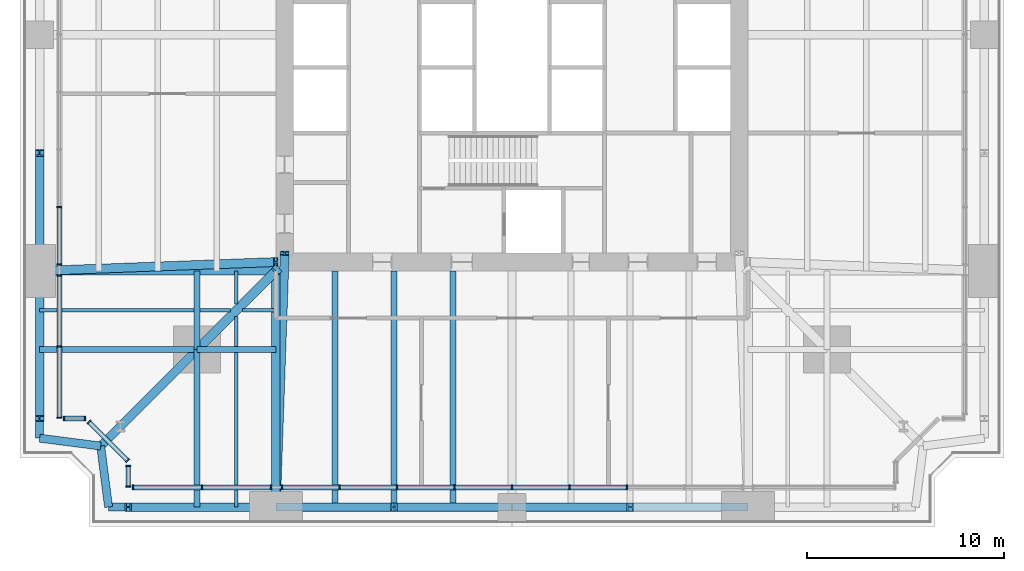
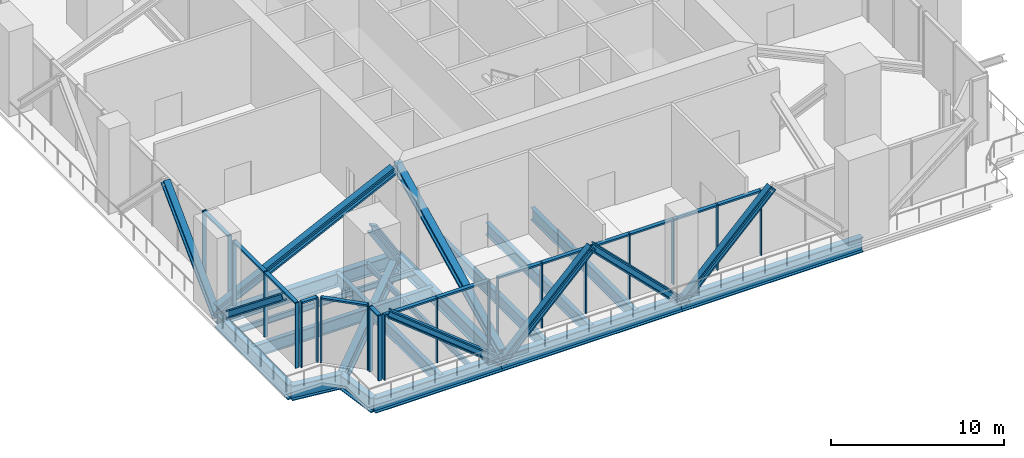
# One storey, part 2 of 13: 44 members, 23 beams, 7 elements without a shape of their own.
"""IFC4 building model written with IfcOpenShell, lengths in metres."""

from ifc_helpers import new_model, si_unit, direction, frame, origin, origin_2d, place, context, subcontext, project, spatial, rectangle, i_section, extrude, material, material_profile, profile_set, type_object, element, aggregate, save


model = new_model("IFC4")

# Units and contexts
model_context = context("Model", 3, precision=1e-05, world=origin(), true_north=direction((0.0, 1.0)))
body_context = subcontext(model_context, "Body", "Model", "MODEL_VIEW")
ifc_project = project(units=[si_unit("LENGTHUNIT", "METRE"), si_unit("AREAUNIT", "SQUARE_METRE"), si_unit("VOLUMEUNIT", "CUBIC_METRE"), si_unit("PLANEANGLEUNIT", "RADIAN"), si_unit("MASSUNIT", "GRAM", prefix="KILO")], contexts=[model_context])

# Site, building, storey
site_placement = place(None, origin())
site = spatial("IfcSite", under=ifc_project, at=site_placement, CompositionType="ELEMENT")
building_placement = place(site_placement, origin())
building = spatial("IfcBuilding", under=site, at=building_placement, Name="Fenwick Lantern Interchange", CompositionType="ELEMENT")
storey_placement = place(building_placement, frame((0.0, 0.0, 91.0)))
storey = spatial("IfcBuildingStorey", under=building, at=storey_placement, Name="L21", CompositionType="ELEMENT", Elevation=91.0)

# Members
ifc_material_1 = material(Name="Steel ASTM A992 Grade 50", Category="steel")
ifc_material_profile_1 = material_profile(ifc_material_1, i_section(OverallWidth=0.431884765625, OverallDepth=0.497802734375, WebThickness=0.0556640625, FlangeThickness=0.0888671875, at=origin_2d()), Name="W14X500")
ifc_profile_set_1 = profile_set([ifc_material_profile_1], Name="Steel ASTM A992 Grade 50")
member_type_1 = type_object("IfcMemberType", Name="BELT TRUSS DIAGONAL W14X500", PredefinedType="BRACE", material=ifc_profile_set_1)
member_1_placement = place(storey_placement, frame((13.0, 1.0, -0.64990234375), z_axis=(-0.780868809443, 0.0, 0.624695047554), x_axis=(0.0, -1.0, 0.0)))
element("IfcMember", 1, at=member_1_placement, inside=storey, type_object=member_type_1, Name="L21/BT/S/D1", PredefinedType="BRACE", context=body_context, shape_type="SweptSolid", body=[
    extrude(i_section(OverallWidth=0.431884765625, OverallDepth=0.497802734375, WebThickness=0.0556640625, FlangeThickness=0.0888671875, at=origin_2d()), origin(), (0.0, 0.0, 1.0), 9.604736328125),
])
for number, where, z_axis, x_axis, name in (
    (2, (13.0, 1.0, -0.64990234375), (0.707106781187, 0.0, 0.707106781187), (0.0, 1.0, 0.0), "L21/BT/S/D2"),
    (3, (25.0, 1.0, -0.64990234375), (-0.707106781187, 0.0, 0.707106781187), (0.0, -1.0, 0.0), "L21/BT/S/D3"),
    (4, (25.0, 1.0, -0.64990234375), (0.707106781187, 0.0, 0.707106781187), (0.0, 1.0, 0.0), "L21/BT/S/D4"),
    (5, (1.0, 13.0, -0.64990234375), (0.0, 0.707106781187, 0.707106781187), (-1.0, 0.0, 0.0), "L21/BT/W/D5"),
):
    element("IfcMember", number, at=place(storey_placement, frame(where, z_axis=z_axis, x_axis=x_axis)), inside=storey, type_object=member_type_1, Name=name, PredefinedType="BRACE", context=body_context, shape_type="SweptSolid", body=[
        extrude(i_section(OverallWidth=0.431884765625, OverallDepth=0.497802734375, WebThickness=0.0556640625, FlangeThickness=0.0888671875, at=origin_2d()), origin(), (0.0, 0.0, 1.0), 8.4853515625),
    ])
member_2_placement = place(storey_placement, frame((1.0, 13.0, -0.64990234375), z_axis=(0.0, -0.780868809443, 0.624695047554), x_axis=(1.0, 0.0, 0.0)))
element("IfcMember", 6, at=member_2_placement, inside=storey, type_object=member_type_1, Name="L21/BT/W/D6", PredefinedType="BRACE", context=body_context, shape_type="SweptSolid", body=[
    extrude(i_section(OverallWidth=0.431884765625, OverallDepth=0.497802734375, WebThickness=0.0556640625, FlangeThickness=0.0888671875, at=origin_2d()), origin(), (0.0, 0.0, 1.0), 9.604736328125),
])

# Beams
ifc_material_profile_2 = material_profile(ifc_material_1, i_section(OverallWidth=0.408935546875, OverallDepth=1.04150390625, WebThickness=0.031005859375, FlangeThickness=0.055908203125, at=origin_2d()), Name="W40X397")
ifc_profile_set_2 = profile_set([ifc_material_profile_2], Name="Steel ASTM A992 Grade 50")
beam_type_1 = type_object("IfcBeamType", Name="EDGE BEAM W40X397", PredefinedType="SPANDREL", material=ifc_profile_set_2)
beam_1_placement = place(storey_placement, frame((4.5, 1.0, -0.720703125), z_axis=(1.0, 0.0, 0.0), x_axis=(0.0, 1.0, 0.0)))
element("IfcBeam", 7, at=beam_1_placement, inside=storey, type_object=beam_type_1, Name="L21/FR/S/EB1", PredefinedType="SPANDREL", context=body_context, shape_type="SweptSolid", body=[
    extrude(i_section(OverallWidth=0.408935546875, OverallDepth=1.04150390625, WebThickness=0.031005859375, FlangeThickness=0.055908203125, at=origin_2d()), origin(), (0.0, 0.0, 1.0), 8.5),
])
for number, where, z_axis, x_axis, name in (
    (8, (13.0, 1.0, -0.720703125), (1.0, 0.0, 0.0), (0.0, 1.0, 0.0), "L21/FR/S/EB2"),
    (9, (25.0, 1.0, -0.720703125), (1.0, 0.0, 0.0), (0.0, 1.0, 0.0), "L21/FR/S/EB3"),
):
    element("IfcBeam", number, at=place(storey_placement, frame(where, z_axis=z_axis, x_axis=x_axis)), inside=storey, type_object=beam_type_1, Name=name, PredefinedType="SPANDREL", context=body_context, shape_type="SweptSolid", body=[
        extrude(i_section(OverallWidth=0.408935546875, OverallDepth=1.04150390625, WebThickness=0.031005859375, FlangeThickness=0.055908203125, at=origin_2d()), origin(), (0.0, 0.0, 1.0), 12.0),
    ])
beam_2_placement = place(storey_placement, frame((1.0, 13.0, -0.720703125), z_axis=(0.0, -1.0, 0.0), x_axis=(1.0, 0.0, 0.0)))
element("IfcBeam", 10, at=beam_2_placement, inside=storey, type_object=beam_type_1, Name="L21/FR/W/EB4", PredefinedType="SPANDREL", context=body_context, shape_type="SweptSolid", body=[
    extrude(i_section(OverallWidth=0.408935546875, OverallDepth=1.04150390625, WebThickness=0.031005859375, FlangeThickness=0.055908203125, at=origin_2d()), origin(), (0.0, 0.0, 1.0), 8.5),
])
for number, where, z_axis, x_axis, name in (
    (11, (1.0, 4.5, -0.720703125), (0.991782342897, -0.127936641807, 0.0), (0.127936641807, 0.991782342897, 0.0), "L21/FR/W/EBR1"),
    (12, (4.10009765625, 4.10009765625, -0.720703125), (0.127936641807, -0.991782342897, 0.0), (0.991782342897, 0.127936641807, 0.0), "L21/FR/W/EBR2"),
):
    element("IfcBeam", number, at=place(storey_placement, frame(where, z_axis=z_axis, x_axis=x_axis)), inside=storey, type_object=beam_type_1, Name=name, PredefinedType="SPANDREL", context=body_context, shape_type="SweptSolid", body=[
        extrude(i_section(OverallWidth=0.408935546875, OverallDepth=1.04150390625, WebThickness=0.031005859375, FlangeThickness=0.055908203125, at=origin_2d()), origin(), (0.0, 0.0, 1.0), 3.125732421875),
    ])
ifc_material_profile_3 = material_profile(ifc_material_1, i_section(OverallWidth=0.2919921875, OverallDepth=0.845703125, WebThickness=0.015380859375, FlangeThickness=0.0244140625, at=origin_2d()), Name="W33X141")
ifc_profile_set_3 = profile_set([ifc_material_profile_3], Name="Steel ASTM A992 Grade 50")
beam_type_2 = type_object("IfcBeamType", Name="FLOOR BEAM W33X141", PredefinedType="BEAM", material=ifc_profile_set_3)
for number, where, z_axis, x_axis, name in (
    (13, (16.0, 1.0, -0.622802734375), (0.0, 1.0, 0.0), (-1.0, 0.0, 0.0), "L21/FR/S/R02"),
    (14, (19.0, 1.0, -0.622802734375), (0.0, 1.0, 0.0), (-1.0, 0.0, 0.0), "L21/FR/S/R03"),
    (15, (22.0, 1.0, -0.622802734375), (0.0, 1.0, 0.0), (-1.0, 0.0, 0.0), "L21/FR/S/R04"),
):
    element("IfcBeam", number, at=place(storey_placement, frame(where, z_axis=z_axis, x_axis=x_axis)), inside=storey, type_object=beam_type_2, Name=name, PredefinedType="BEAM", context=body_context, shape_type="SweptSolid", body=[
        extrude(i_section(OverallWidth=0.2919921875, OverallDepth=0.845703125, WebThickness=0.015380859375, FlangeThickness=0.0244140625, at=origin_2d()), origin(), (0.0, 0.0, 1.0), 12.0),
    ])
ifc_material_profile_4 = material_profile(ifc_material_1, i_section(OverallWidth=0.177734375, OverallDepth=0.406494140625, WebThickness=0.0078125, FlangeThickness=0.012939453125, at=origin_2d()), Name="W16X40")
ifc_profile_set_4 = profile_set([ifc_material_profile_4], Name="Steel ASTM A992 Grade 50")
beam_type_3 = type_object("IfcBeamType", Name="INFILL BEAM W16X40", PredefinedType="JOIST", material=ifc_profile_set_4)
beam_3_placement = place(storey_placement, frame((11.0, 1.0, -0.4033203125), z_axis=(0.0, 1.0, 0.0), x_axis=(-1.0, 0.0, 0.0)))
element("IfcBeam", 16, at=beam_3_placement, inside=storey, type_object=beam_type_3, Name="L21/FR/S/J1", PredefinedType="JOIST", context=body_context, shape_type="SweptSolid", body=[
    extrude(i_section(OverallWidth=0.177734375, OverallDepth=0.406494140625, WebThickness=0.0078125, FlangeThickness=0.012939453125, at=origin_2d()), origin(), (0.0, 0.0, 1.0), 7.85400390625),
])
beam_4_placement = place(storey_placement, frame((11.0, 9.14599609375, -0.4033203125), z_axis=(0.0, 1.0, 0.0), x_axis=(-1.0, 0.0, 0.0)))
element("IfcBeam", 17, at=beam_4_placement, inside=storey, type_object=beam_type_3, Name="L21/FR/S/J2", PredefinedType="JOIST", context=body_context, shape_type="SweptSolid", body=[
    extrude(i_section(OverallWidth=0.177734375, OverallDepth=0.406494140625, WebThickness=0.0078125, FlangeThickness=0.012939453125, at=origin_2d()), origin(), (0.0, 0.0, 1.0), 1.537841796875),
])
beam_5_placement = place(storey_placement, frame((11.0, 11.316162109375, -0.4033203125), z_axis=(0.0, 1.0, 0.0), x_axis=(-1.0, 0.0, 0.0)))
element("IfcBeam", 18, at=beam_5_placement, inside=storey, type_object=beam_type_3, Name="L21/FR/S/J6", PredefinedType="JOIST", context=body_context, shape_type="SweptSolid", body=[
    extrude(i_section(OverallWidth=0.177734375, OverallDepth=0.406494140625, WebThickness=0.0078125, FlangeThickness=0.012939453125, at=origin_2d()), origin(), (0.0, 0.0, 1.0), 1.683837890625),
])
beam_6_placement = place(storey_placement, frame((1.0, 11.0, -0.4033203125), z_axis=(1.0, 0.0, 0.0), x_axis=(0.0, 1.0, 0.0)))
element("IfcBeam", 19, at=beam_6_placement, inside=storey, type_object=beam_type_3, Name="L21/FR/S/J3", PredefinedType="JOIST", context=body_context, shape_type="SweptSolid", body=[
    extrude(i_section(OverallWidth=0.177734375, OverallDepth=0.406494140625, WebThickness=0.0078125, FlangeThickness=0.012939453125, at=origin_2d()), origin(), (0.0, 0.0, 1.0), 7.85400390625),
])
beam_7_placement = place(storey_placement, frame((9.14599609375, 11.0, -0.4033203125), z_axis=(1.0, 0.0, 0.0), x_axis=(0.0, 1.0, 0.0)))
element("IfcBeam", 20, at=beam_7_placement, inside=storey, type_object=beam_type_3, Name="L21/FR/S/J4", PredefinedType="JOIST", context=body_context, shape_type="SweptSolid", body=[
    extrude(i_section(OverallWidth=0.177734375, OverallDepth=0.406494140625, WebThickness=0.0078125, FlangeThickness=0.012939453125, at=origin_2d()), origin(), (0.0, 0.0, 1.0), 1.537841796875),
])
beam_8_placement = place(storey_placement, frame((11.316162109375, 11.0, -0.4033203125), z_axis=(1.0, 0.0, 0.0), x_axis=(0.0, 1.0, 0.0)))
element("IfcBeam", 21, at=beam_8_placement, inside=storey, type_object=beam_type_3, Name="L21/FR/S/J5", PredefinedType="JOIST", context=body_context, shape_type="SweptSolid", body=[
    extrude(i_section(OverallWidth=0.177734375, OverallDepth=0.406494140625, WebThickness=0.0078125, FlangeThickness=0.012939453125, at=origin_2d()), origin(), (0.0, 0.0, 1.0), 1.683837890625),
])
ifc_material_profile_5 = material_profile(ifc_material_1, i_section(OverallWidth=0.2919921875, OverallDepth=0.845703125, WebThickness=0.015380859375, FlangeThickness=0.0244140625, at=origin_2d()), Name="W33X141")
ifc_profile_set_5 = profile_set([ifc_material_profile_5], Name="Steel ASTM A992 Grade 50")
beam_type_4 = type_object("IfcBeamType", Name="MEGA COLUMN BEAM W33X141", PredefinedType="BEAM", material=ifc_profile_set_5)
for number, where, z_axis, x_axis, name in (
    (22, (9.0, 9.0, -0.622802734375), (0.0, -1.0, 0.0), (1.0, 0.0, 0.0), "L21/FR/S/MB1"),
    (23, (9.0, 9.0, -0.622802734375), (-1.0, 0.0, 0.0), (0.0, -1.0, 0.0), "L21/FR/S/MB2"),
):
    element("IfcBeam", number, at=place(storey_placement, frame(where, z_axis=z_axis, x_axis=x_axis)), inside=storey, type_object=beam_type_4, Name=name, PredefinedType="BEAM", context=body_context, shape_type="SweptSolid", body=[
        extrude(i_section(OverallWidth=0.2919921875, OverallDepth=0.845703125, WebThickness=0.015380859375, FlangeThickness=0.0244140625, at=origin_2d()), origin(), (0.0, 0.0, 1.0), 8.0),
    ])
for number, where, z_axis, x_axis, name in (
    (24, (9.0, 9.0, -0.622802734375), (1.0, 0.0, 0.0), (0.0, 1.0, 0.0), "L21/FR/S/MB3"),
    (25, (9.0, 9.0, -0.622802734375), (0.0, 1.0, 0.0), (-1.0, 0.0, 0.0), "L21/FR/S/MB4"),
):
    element("IfcBeam", number, at=place(storey_placement, frame(where, z_axis=z_axis, x_axis=x_axis)), inside=storey, type_object=beam_type_4, Name=name, PredefinedType="BEAM", context=body_context, shape_type="SweptSolid", body=[
        extrude(i_section(OverallWidth=0.2919921875, OverallDepth=0.845703125, WebThickness=0.015380859375, FlangeThickness=0.0244140625, at=origin_2d()), origin(), (0.0, 0.0, 1.0), 4.0),
    ])
ifc_material_profile_6 = material_profile(ifc_material_1, i_section(OverallWidth=0.424072265625, OverallDepth=0.947509765625, WebThickness=0.02392578125, FlangeThickness=0.042724609375, at=origin_2d()), Name="W36X302")
ifc_profile_set_6 = profile_set([ifc_material_profile_6], Name="Steel ASTM A992 Grade 50")
beam_type_5 = type_object("IfcBeamType", Name="MOMENT-CONNECTED GIRDER W36X302", PredefinedType="BEAM", material=ifc_profile_set_6)
for number, where, z_axis, x_axis, name in (
    (26, (13.0, 1.0, -0.673828125), (0.0, 1.0, 0.0), (-1.0, 0.0, 0.0), "L21/FR/S/R01"),
    (27, (1.0, 13.0, -0.673828125), (1.0, 0.0, 0.0), (0.0, 1.0, 0.0), "L21/FR/W/R03"),
):
    element("IfcBeam", number, at=place(storey_placement, frame(where, z_axis=z_axis, x_axis=x_axis)), inside=storey, type_object=beam_type_5, Name=name, PredefinedType="BEAM", context=body_context, shape_type="SweptSolid", body=[
        extrude(i_section(OverallWidth=0.424072265625, OverallDepth=0.947509765625, WebThickness=0.02392578125, FlangeThickness=0.042724609375, at=origin_2d()), origin(), (0.0, 0.0, 1.0), 12.0),
    ])
ifc_material_profile_7 = material_profile(ifc_material_1, i_section(OverallWidth=0.447021484375, OverallDepth=1.0439453125, WebThickness=0.050048828125, FlangeThickness=0.08984375, at=origin_2d()), Name="W36X652")
ifc_profile_set_7 = profile_set([ifc_material_profile_7], Name="Steel ASTM A992 Grade 50")
beam_type_6 = type_object("IfcBeamType", Name="NOTCH BEAM W36X652", PredefinedType="BEAM", material=ifc_profile_set_7)
beam_9_placement = place(storey_placement, frame((9.0, 9.0, -0.721923828125), z_axis=(-0.707106781187, -0.707106781187, 0.0), x_axis=(0.707106781187, -0.707106781187, 0.0)))
element("IfcBeam", 28, at=beam_9_placement, inside=storey, type_object=beam_type_6, Name="L21/FR/S/TG", PredefinedType="BEAM", context=body_context, shape_type="SweptSolid", body=[
    extrude(i_section(OverallWidth=0.447021484375, OverallDepth=1.0439453125, WebThickness=0.050048828125, FlangeThickness=0.08984375, at=origin_2d()), origin(), (0.0, 0.0, 1.0), 6.929443359375),
])
ifc_material_profile_8 = material_profile(ifc_material_1, i_section(OverallWidth=0.447021484375, OverallDepth=1.0439453125, WebThickness=0.050048828125, FlangeThickness=0.08984375, at=origin_2d()), Name="W36X652")
ifc_profile_set_8 = profile_set([ifc_material_profile_8], Name="Steel ASTM A992 Grade 50")
beam_type_7 = type_object("IfcBeamType", Name="OUTRIGGER CHORD W36X652", PredefinedType="BEAM", material=ifc_profile_set_8)
beam_10_placement = place(storey_placement, frame((13.0, 13.0, -0.721923828125), z_axis=(-0.707106781187, -0.707106781187, 0.0), x_axis=(0.707106781187, -0.707106781187, 0.0)))
element("IfcBeam", 29, at=beam_10_placement, inside=storey, type_object=beam_type_7, Name="L21/OR/S/BC", PredefinedType="BEAM", context=body_context, shape_type="SweptSolid", body=[
    extrude(i_section(OverallWidth=0.447021484375, OverallDepth=1.0439453125, WebThickness=0.050048828125, FlangeThickness=0.08984375, at=origin_2d()), origin(), (0.0, 0.0, 1.0), 5.65673828125),
])

# Members
ifc_material_profile_9 = material_profile(ifc_material_1, i_section(OverallWidth=0.45458984375, OverallDepth=0.56884765625, WebThickness=0.077880859375, FlangeThickness=0.124755859375, at=origin_2d()), Name="W14X730")
ifc_profile_set_9 = profile_set([ifc_material_profile_9], Name="Steel ASTM A992 Grade 50")
member_type_2 = type_object("IfcMemberType", Name="OUTRIGGER DIAGONAL W14X730", PredefinedType="BRACE", material=ifc_profile_set_9)
member_3_placement = place(storey_placement, frame((13.0, 13.0, -0.721923828125), z_axis=(-0.485071250073, -0.485071250073, 0.727606875109), x_axis=(0.707106781187, -0.707106781187, 0.0)))
element("IfcMember", 30, at=member_3_placement, inside=storey, type_object=member_type_2, Name="L21/OR/S/D", PredefinedType="BRACE", context=body_context, shape_type="SweptSolid", body=[
    extrude(i_section(OverallWidth=0.45458984375, OverallDepth=0.56884765625, WebThickness=0.077880859375, FlangeThickness=0.124755859375, at=origin_2d()), origin(), (0.0, 0.0, 1.0), 8.24609375),
])
member_4_placement = place(storey_placement, frame((13.0, 1.0, 0.0), z_axis=(0.032223486879, 0.923833206581, 0.381436565252), x_axis=(-0.999392240336, 0.034859001078, 0.0)))
element("IfcMember", 31, at=member_4_placement, inside=storey, type_object=member_type_2, Name="L21/OR/S/W1", PredefinedType="BRACE", context=body_context, shape_type="SweptSolid", body=[
    extrude(i_section(OverallWidth=0.45458984375, OverallDepth=0.56884765625, WebThickness=0.077880859375, FlangeThickness=0.124755859375, at=origin_2d()), origin(), (0.0, 0.0, 1.0), 13.96337890625),
])
member_5_placement = place(storey_placement, frame((1.0, 13.0, 0.0), z_axis=(0.913477570557, 0.034251691946, 0.405444878729), x_axis=(-0.037469600146, 0.999297767968, 0.0)))
element("IfcMember", 32, at=member_5_placement, inside=storey, type_object=member_type_2, Name="L21/OR/W/W2", PredefinedType="BRACE", context=body_context, shape_type="SweptSolid", body=[
    extrude(i_section(OverallWidth=0.45458984375, OverallDepth=0.56884765625, WebThickness=0.077880859375, FlangeThickness=0.124755859375, at=origin_2d()), origin(), (0.0, 0.0, 1.0), 13.13671875),
])

# Curtain wall, members
ifc_material_2 = material(Name="Aluminium curtain wall frame", Category="aluminium")
curtain_wall_type = type_object("IfcCurtainWallType", Name="PLANT LOUVRE SCREEN", PredefinedType="USERDEFINED", material=ifc_material_2)
curtain_wall_1_placement = place(storey_placement, origin())
curtain_wall_1 = element("IfcCurtainWall", 33, at=curtain_wall_1_placement, inside=storey, type_object=curtain_wall_type, Name="Plant louvre screen 12B", ObjectType="PLANT LOUVRE SCREEN", PredefinedType="USERDEFINED")
ifc_material_3 = material(Name="Aluminium extrusion", Category="aluminium")
ifc_material_profile_10 = material_profile(ifc_material_3, rectangle(XDim=0.25, YDim=0.074951171875, at=origin_2d()), Name="PLANT LOUVRE SCREEN MULLION 75 X 250")
ifc_profile_set_10 = profile_set([ifc_material_profile_10], Name="Aluminium extrusion")
member_type_3 = type_object("IfcMemberType", Name="PLANT LOUVRE SCREEN MULLION 75 X 250", PredefinedType="MULLION", material=ifc_profile_set_10)
member_6_placement = place(storey_placement, frame((2.0, 16.23779296875, 0.0), z_axis=(0.0, 0.0, 1.0), x_axis=(1.0, 0.0, 0.0)))
member_6 = element("IfcMember", 34, at=member_6_placement, type_object=member_type_3, Name="L21/CW/12B/M07", PredefinedType="MULLION", context=body_context, shape_type="SweptSolid", body=[
    extrude(rectangle(XDim=0.25, YDim=0.074951171875, at=origin_2d()), origin(), (0.0, 0.0, 1.0), 4.60009765625),
])
member_7_placement = place(storey_placement, frame((2.0, 13.317138671875, 0.0), z_axis=(0.0, 0.0, 1.0), x_axis=(1.0, 0.0, 0.0)))
member_7 = element("IfcMember", 35, at=member_7_placement, type_object=member_type_3, Name="L21/CW/12B/M08", PredefinedType="MULLION", context=body_context, shape_type="SweptSolid", body=[
    extrude(rectangle(XDim=0.25, YDim=0.074951171875, at=origin_2d()), origin(), (0.0, 0.0, 1.0), 4.60009765625),
])

curtain_wall_2_placement = place(storey_placement, origin())
curtain_wall_2 = element("IfcCurtainWall", 36, at=curtain_wall_2_placement, inside=storey, type_object=curtain_wall_type, Name="Plant louvre screen 12C", ObjectType="PLANT LOUVRE SCREEN", PredefinedType="USERDEFINED")
member_8_placement = place(storey_placement, frame((2.0, 12.7578125, 0.0), z_axis=(0.0, 0.0, 1.0), x_axis=(1.0, 0.0, 0.0)))
member_8 = element("IfcMember", 37, at=member_8_placement, type_object=member_type_3, Name="L21/CW/12C/M00", PredefinedType="MULLION", context=body_context, shape_type="SweptSolid", body=[
    extrude(rectangle(XDim=0.25, YDim=0.074951171875, at=origin_2d()), origin(), (0.0, 0.0, 1.0), 4.60009765625),
])
member_9_placement = place(storey_placement, frame((2.0, 9.147705078125, 0.0), z_axis=(0.0, 0.0, 1.0), x_axis=(1.0, 0.0, 0.0)))
member_9 = element("IfcMember", 38, at=member_9_placement, type_object=member_type_3, Name="L21/CW/12C/M01", PredefinedType="MULLION", context=body_context, shape_type="SweptSolid", body=[
    extrude(rectangle(XDim=0.25, YDim=0.074951171875, at=origin_2d()), origin(), (0.0, 0.0, 1.0), 4.60009765625),
])
member_10_placement = place(storey_placement, frame((2.0, 5.53759765625, 0.0), z_axis=(0.0, 0.0, 1.0), x_axis=(1.0, 0.0, 0.0)))
member_10 = element("IfcMember", 39, at=member_10_placement, type_object=member_type_3, Name="L21/CW/12C/M02", PredefinedType="MULLION", context=body_context, shape_type="SweptSolid", body=[
    extrude(rectangle(XDim=0.25, YDim=0.074951171875, at=origin_2d()), origin(), (0.0, 0.0, 1.0), 4.60009765625),
])

curtain_wall_3_placement = place(storey_placement, origin())
curtain_wall_3 = element("IfcCurtainWall", 40, at=curtain_wall_3_placement, inside=storey, type_object=curtain_wall_type, Name="Plant louvre screen 13", ObjectType="PLANT LOUVRE SCREEN", PredefinedType="USERDEFINED")
member_11_placement = place(storey_placement, frame((2.237548828125, 5.5, 0.0), z_axis=(0.0, 0.0, 1.0), x_axis=(0.0, 1.0, 0.0)))
member_11 = element("IfcMember", 41, at=member_11_placement, type_object=member_type_3, Name="L21/CW/13/M00", PredefinedType="MULLION", context=body_context, shape_type="SweptSolid", body=[
    extrude(rectangle(XDim=0.25, YDim=0.074951171875, at=origin_2d()), origin(), (0.0, 0.0, 1.0), 4.60009765625),
])
member_12_placement = place(storey_placement, frame((3.291015625, 5.5, 0.0), z_axis=(0.0, 0.0, 1.0), x_axis=(0.0, 1.0, 0.0)))
member_12 = element("IfcMember", 42, at=member_12_placement, type_object=member_type_3, Name="L21/CW/13/M01", PredefinedType="MULLION", context=body_context, shape_type="SweptSolid", body=[
    extrude(rectangle(XDim=0.25, YDim=0.074951171875, at=origin_2d()), origin(), (0.0, 0.0, 1.0), 4.60009765625),
])

curtain_wall_4_placement = place(storey_placement, origin())
curtain_wall_4 = element("IfcCurtainWall", 43, at=curtain_wall_4_placement, inside=storey, type_object=curtain_wall_type, Name="Plant louvre screen 14", ObjectType="PLANT LOUVRE SCREEN", PredefinedType="USERDEFINED")
member_13_placement = place(storey_placement, frame((3.496337890625, 5.33203125, 0.0), z_axis=(0.0, 0.0, 1.0), x_axis=(0.707106781187, 0.707106781187, 0.0)))
member_13 = element("IfcMember", 44, at=member_13_placement, type_object=member_type_3, Name="L21/CW/14/M00", PredefinedType="MULLION", context=body_context, shape_type="SweptSolid", body=[
    extrude(rectangle(XDim=0.25, YDim=0.074951171875, at=origin_2d()), origin(), (0.0, 0.0, 1.0), 4.60009765625),
])
member_14_placement = place(storey_placement, frame((5.473388671875, 3.35498046875, 0.0), z_axis=(0.0, 0.0, 1.0), x_axis=(0.707106781187, 0.707106781187, 0.0)))
member_14 = element("IfcMember", 45, at=member_14_placement, type_object=member_type_3, Name="L21/CW/14/M01", PredefinedType="MULLION", context=body_context, shape_type="SweptSolid", body=[
    extrude(rectangle(XDim=0.25, YDim=0.074951171875, at=origin_2d()), origin(), (0.0, 0.0, 1.0), 4.60009765625),
])

curtain_wall_5_placement = place(storey_placement, origin())
curtain_wall_5 = element("IfcCurtainWall", 46, at=curtain_wall_5_placement, inside=storey, type_object=curtain_wall_type, Name="Plant louvre screen 15", ObjectType="PLANT LOUVRE SCREEN", PredefinedType="USERDEFINED")
member_15_placement = place(storey_placement, frame((5.5, 3.0908203125, 0.0), z_axis=(0.0, 0.0, 1.0), x_axis=(1.0, 0.0, 0.0)))
member_15 = element("IfcMember", 47, at=member_15_placement, type_object=member_type_3, Name="L21/CW/15/M00", PredefinedType="MULLION", context=body_context, shape_type="SweptSolid", body=[
    extrude(rectangle(XDim=0.25, YDim=0.074951171875, at=origin_2d()), origin(), (0.0, 0.0, 1.0), 4.60009765625),
])
member_16_placement = place(storey_placement, frame((5.5, 2.03759765625, 0.0), z_axis=(0.0, 0.0, 1.0), x_axis=(1.0, 0.0, 0.0)))
member_16 = element("IfcMember", 48, at=member_16_placement, type_object=member_type_3, Name="L21/CW/15/M01", PredefinedType="MULLION", context=body_context, shape_type="SweptSolid", body=[
    extrude(rectangle(XDim=0.25, YDim=0.074951171875, at=origin_2d()), origin(), (0.0, 0.0, 1.0), 4.60009765625),
])

curtain_wall_6_placement = place(storey_placement, origin())
curtain_wall_6 = element("IfcCurtainWall", 49, at=curtain_wall_6_placement, inside=storey, type_object=curtain_wall_type, Name="Plant louvre screen 16A", ObjectType="PLANT LOUVRE SCREEN", PredefinedType="USERDEFINED")
member_17_placement = place(storey_placement, frame((5.737548828125, 2.0, 0.0), z_axis=(0.0, 0.0, 1.0), x_axis=(0.0, 1.0, 0.0)))
member_17 = element("IfcMember", 50, at=member_17_placement, type_object=member_type_3, Name="L21/CW/16A/M00", PredefinedType="MULLION", context=body_context, shape_type="SweptSolid", body=[
    extrude(rectangle(XDim=0.25, YDim=0.074951171875, at=origin_2d()), origin(), (0.0, 0.0, 1.0), 4.60009765625),
])
member_18_placement = place(storey_placement, frame((9.24658203125, 2.0, 0.0), z_axis=(0.0, 0.0, 1.0), x_axis=(0.0, 1.0, 0.0)))
member_18 = element("IfcMember", 51, at=member_18_placement, type_object=member_type_3, Name="L21/CW/16A/M01", PredefinedType="MULLION", context=body_context, shape_type="SweptSolid", body=[
    extrude(rectangle(XDim=0.25, YDim=0.074951171875, at=origin_2d()), origin(), (0.0, 0.0, 1.0), 4.60009765625),
])
member_19_placement = place(storey_placement, frame((12.755615234375, 2.0, 0.0), z_axis=(0.0, 0.0, 1.0), x_axis=(0.0, 1.0, 0.0)))
member_19 = element("IfcMember", 52, at=member_19_placement, type_object=member_type_3, Name="L21/CW/16A/M02", PredefinedType="MULLION", context=body_context, shape_type="SweptSolid", body=[
    extrude(rectangle(XDim=0.25, YDim=0.074951171875, at=origin_2d()), origin(), (0.0, 0.0, 1.0), 4.60009765625),
])

curtain_wall_7_placement = place(storey_placement, origin())
curtain_wall_7 = element("IfcCurtainWall", 53, at=curtain_wall_7_placement, inside=storey, type_object=curtain_wall_type, Name="Plant louvre screen 16B", ObjectType="PLANT LOUVRE SCREEN", PredefinedType="USERDEFINED")
member_20_placement = place(storey_placement, frame((13.314208984375, 2.0, 0.0), z_axis=(0.0, 0.0, 1.0), x_axis=(0.0, 1.0, 0.0)))
member_20 = element("IfcMember", 54, at=member_20_placement, type_object=member_type_3, Name="L21/CW/16B/M00", PredefinedType="MULLION", context=body_context, shape_type="SweptSolid", body=[
    extrude(rectangle(XDim=0.25, YDim=0.074951171875, at=origin_2d()), origin(), (0.0, 0.0, 1.0), 4.60009765625),
])
member_21_placement = place(storey_placement, frame((16.235595703125, 2.0, 0.0), z_axis=(0.0, 0.0, 1.0), x_axis=(0.0, 1.0, 0.0)))
member_21 = element("IfcMember", 55, at=member_21_placement, type_object=member_type_3, Name="L21/CW/16B/M01", PredefinedType="MULLION", context=body_context, shape_type="SweptSolid", body=[
    extrude(rectangle(XDim=0.25, YDim=0.074951171875, at=origin_2d()), origin(), (0.0, 0.0, 1.0), 4.60009765625),
])
member_22_placement = place(storey_placement, frame((19.1572265625, 2.0, 0.0), z_axis=(0.0, 0.0, 1.0), x_axis=(0.0, 1.0, 0.0)))
member_22 = element("IfcMember", 56, at=member_22_placement, type_object=member_type_3, Name="L21/CW/16B/M02", PredefinedType="MULLION", context=body_context, shape_type="SweptSolid", body=[
    extrude(rectangle(XDim=0.25, YDim=0.074951171875, at=origin_2d()), origin(), (0.0, 0.0, 1.0), 4.60009765625),
])
member_23_placement = place(storey_placement, frame((22.07861328125, 2.0, 0.0), z_axis=(0.0, 0.0, 1.0), x_axis=(0.0, 1.0, 0.0)))
member_23 = element("IfcMember", 57, at=member_23_placement, type_object=member_type_3, Name="L21/CW/16B/M03", PredefinedType="MULLION", context=body_context, shape_type="SweptSolid", body=[
    extrude(rectangle(XDim=0.25, YDim=0.074951171875, at=origin_2d()), origin(), (0.0, 0.0, 1.0), 4.60009765625),
])
member_24_placement = place(storey_placement, frame((25.0, 2.0, 0.0), z_axis=(0.0, 0.0, 1.0), x_axis=(0.0, 1.0, 0.0)))
member_24 = element("IfcMember", 58, at=member_24_placement, type_object=member_type_3, Name="L21/CW/16B/M04", PredefinedType="MULLION", context=body_context, shape_type="SweptSolid", body=[
    extrude(rectangle(XDim=0.25, YDim=0.074951171875, at=origin_2d()), origin(), (0.0, 0.0, 1.0), 4.60009765625),
])
member_25_placement = place(storey_placement, frame((27.92138671875, 2.0, 0.0), z_axis=(0.0, 0.0, 1.0), x_axis=(0.0, 1.0, 0.0)))
member_25 = element("IfcMember", 59, at=member_25_placement, type_object=member_type_3, Name="L21/CW/16B/M05", PredefinedType="MULLION", context=body_context, shape_type="SweptSolid", body=[
    extrude(rectangle(XDim=0.25, YDim=0.074951171875, at=origin_2d()), origin(), (0.0, 0.0, 1.0), 4.60009765625),
])
member_26_placement = place(storey_placement, frame((30.8427734375, 2.0, 0.0), z_axis=(0.0, 0.0, 1.0), x_axis=(0.0, 1.0, 0.0)))
member_26 = element("IfcMember", 60, at=member_26_placement, type_object=member_type_3, Name="L21/CW/16B/M06", PredefinedType="MULLION", context=body_context, shape_type="SweptSolid", body=[
    extrude(rectangle(XDim=0.25, YDim=0.074951171875, at=origin_2d()), origin(), (0.0, 0.0, 1.0), 4.60009765625),
])

# Member
ifc_material_profile_11 = material_profile(ifc_material_3, rectangle(XDim=0.25, YDim=0.1201171875, at=origin_2d()), Name="PLANT LOUVRE SCREEN TRANSOM 120 X 250")
ifc_profile_set_11 = profile_set([ifc_material_profile_11], Name="Aluminium extrusion")
member_type_4 = type_object("IfcMemberType", Name="PLANT LOUVRE SCREEN TRANSOM 120 X 250", PredefinedType="MULLION", material=ifc_profile_set_11)
member_27_placement = place(storey_placement, frame((2.0, 16.200439453125, 4.5400390625), z_axis=(0.0, -1.0, 0.0), x_axis=(1.0, 0.0, 0.0)))
member_27 = element("IfcMember", 61, at=member_27_placement, type_object=member_type_4, Name="L21/CW/12B/T07", PredefinedType="MULLION", context=body_context, shape_type="SweptSolid", body=[
    extrude(rectangle(XDim=0.25, YDim=0.1201171875, at=origin_2d()), origin(), (0.0, 0.0, 1.0), 2.845703125),
])

aggregate(curtain_wall_1, [member_6, member_7, member_27])

member_28_placement = place(storey_placement, frame((2.0, 12.72021484375, 4.5400390625), z_axis=(0.0, -1.0, 0.0), x_axis=(1.0, 0.0, 0.0)))
member_28 = element("IfcMember", 62, at=member_28_placement, type_object=member_type_4, Name="L21/CW/12C/T00", PredefinedType="MULLION", context=body_context, shape_type="SweptSolid", body=[
    extrude(rectangle(XDim=0.25, YDim=0.1201171875, at=origin_2d()), origin(), (0.0, 0.0, 1.0), 3.53515625),
])

member_29_placement = place(storey_placement, frame((2.0, 9.110107421875, 4.5400390625), z_axis=(0.0, -1.0, 0.0), x_axis=(1.0, 0.0, 0.0)))
member_29 = element("IfcMember", 63, at=member_29_placement, type_object=member_type_4, Name="L21/CW/12C/T01", PredefinedType="MULLION", context=body_context, shape_type="SweptSolid", body=[
    extrude(rectangle(XDim=0.25, YDim=0.1201171875, at=origin_2d()), origin(), (0.0, 0.0, 1.0), 3.53515625),
])

aggregate(curtain_wall_2, [member_8, member_9, member_10, member_28, member_29])

member_30_placement = place(storey_placement, frame((2.27490234375, 5.5, 4.5400390625), z_axis=(1.0, 0.0, 0.0), x_axis=(0.0, 1.0, 0.0)))
member_30 = element("IfcMember", 64, at=member_30_placement, type_object=member_type_4, Name="L21/CW/13/T00", PredefinedType="MULLION", context=body_context, shape_type="SweptSolid", body=[
    extrude(rectangle(XDim=0.25, YDim=0.1201171875, at=origin_2d()), origin(), (0.0, 0.0, 1.0), 0.978515625),
])

aggregate(curtain_wall_3, [member_11, member_12, member_30])

member_31_placement = place(storey_placement, frame((3.52294921875, 5.3056640625, 4.5400390625), z_axis=(0.707061921121, -0.707151638406, 0.0), x_axis=(0.707151638406, 0.707061921121, 0.0)))
member_31 = element("IfcMember", 65, at=member_31_placement, type_object=member_type_4, Name="L21/CW/14/T00", PredefinedType="MULLION", context=body_context, shape_type="SweptSolid", body=[
    extrude(rectangle(XDim=0.25, YDim=0.1201171875, at=origin_2d()), origin(), (0.0, 0.0, 1.0), 2.72119140625),
])

aggregate(curtain_wall_4, [member_13, member_14, member_31])

member_32_placement = place(storey_placement, frame((5.5, 3.053466796875, 4.5400390625), z_axis=(0.0, -1.0, 0.0), x_axis=(1.0, 0.0, 0.0)))
member_32 = element("IfcMember", 66, at=member_32_placement, type_object=member_type_4, Name="L21/CW/15/T00", PredefinedType="MULLION", context=body_context, shape_type="SweptSolid", body=[
    extrude(rectangle(XDim=0.25, YDim=0.1201171875, at=origin_2d()), origin(), (0.0, 0.0, 1.0), 0.978515625),
])

aggregate(curtain_wall_5, [member_15, member_16, member_32])

member_33_placement = place(storey_placement, frame((5.77490234375, 2.0, 4.5400390625), z_axis=(1.0, 0.0, 0.0), x_axis=(0.0, 1.0, 0.0)))
member_33 = element("IfcMember", 67, at=member_33_placement, type_object=member_type_4, Name="L21/CW/16A/T00", PredefinedType="MULLION", context=body_context, shape_type="SweptSolid", body=[
    extrude(rectangle(XDim=0.25, YDim=0.1201171875, at=origin_2d()), origin(), (0.0, 0.0, 1.0), 3.43408203125),
])

member_34_placement = place(storey_placement, frame((9.283935546875, 2.0, 4.5400390625), z_axis=(1.0, 0.0, 0.0), x_axis=(0.0, 1.0, 0.0)))
member_34 = element("IfcMember", 68, at=member_34_placement, type_object=member_type_4, Name="L21/CW/16A/T01", PredefinedType="MULLION", context=body_context, shape_type="SweptSolid", body=[
    extrude(rectangle(XDim=0.25, YDim=0.1201171875, at=origin_2d()), origin(), (0.0, 0.0, 1.0), 3.43408203125),
])

aggregate(curtain_wall_6, [member_17, member_18, member_19, member_33, member_34])

member_35_placement = place(storey_placement, frame((13.351806640625, 2.0, 4.5400390625), z_axis=(1.0, 0.0, 0.0), x_axis=(0.0, 1.0, 0.0)))
member_35 = element("IfcMember", 69, at=member_35_placement, type_object=member_type_4, Name="L21/CW/16B/T00", PredefinedType="MULLION", context=body_context, shape_type="SweptSolid", body=[
    extrude(rectangle(XDim=0.25, YDim=0.1201171875, at=origin_2d()), origin(), (0.0, 0.0, 1.0), 2.846435546875),
])

member_36_placement = place(storey_placement, frame((16.273193359375, 2.0, 4.5400390625), z_axis=(1.0, 0.0, 0.0), x_axis=(0.0, 1.0, 0.0)))
member_36 = element("IfcMember", 70, at=member_36_placement, type_object=member_type_4, Name="L21/CW/16B/T01", PredefinedType="MULLION", context=body_context, shape_type="SweptSolid", body=[
    extrude(rectangle(XDim=0.25, YDim=0.1201171875, at=origin_2d()), origin(), (0.0, 0.0, 1.0), 2.846435546875),
])

member_37_placement = place(storey_placement, frame((19.194580078125, 2.0, 4.5400390625), z_axis=(1.0, 0.0, 0.0), x_axis=(0.0, 1.0, 0.0)))
member_37 = element("IfcMember", 71, at=member_37_placement, type_object=member_type_4, Name="L21/CW/16B/T02", PredefinedType="MULLION", context=body_context, shape_type="SweptSolid", body=[
    extrude(rectangle(XDim=0.25, YDim=0.1201171875, at=origin_2d()), origin(), (0.0, 0.0, 1.0), 2.846435546875),
])

member_38_placement = place(storey_placement, frame((22.115966796875, 2.0, 4.5400390625), z_axis=(1.0, 0.0, 0.0), x_axis=(0.0, 1.0, 0.0)))
member_38 = element("IfcMember", 72, at=member_38_placement, type_object=member_type_4, Name="L21/CW/16B/T03", PredefinedType="MULLION", context=body_context, shape_type="SweptSolid", body=[
    extrude(rectangle(XDim=0.25, YDim=0.1201171875, at=origin_2d()), origin(), (0.0, 0.0, 1.0), 2.846435546875),
])

member_39_placement = place(storey_placement, frame((25.03759765625, 2.0, 4.5400390625), z_axis=(1.0, 0.0, 0.0), x_axis=(0.0, 1.0, 0.0)))
member_39 = element("IfcMember", 73, at=member_39_placement, type_object=member_type_4, Name="L21/CW/16B/T04", PredefinedType="MULLION", context=body_context, shape_type="SweptSolid", body=[
    extrude(rectangle(XDim=0.25, YDim=0.1201171875, at=origin_2d()), origin(), (0.0, 0.0, 1.0), 2.846435546875),
])

member_40_placement = place(storey_placement, frame((27.958984375, 2.0, 4.5400390625), z_axis=(1.0, 0.0, 0.0), x_axis=(0.0, 1.0, 0.0)))
member_40 = element("IfcMember", 74, at=member_40_placement, type_object=member_type_4, Name="L21/CW/16B/T05", PredefinedType="MULLION", context=body_context, shape_type="SweptSolid", body=[
    extrude(rectangle(XDim=0.25, YDim=0.1201171875, at=origin_2d()), origin(), (0.0, 0.0, 1.0), 2.846435546875),
])

aggregate(curtain_wall_7, [member_20, member_21, member_22, member_23, member_24, member_25, member_26, member_35, member_36, member_37, member_38, member_39, member_40])

save(model, "model.ifc")
